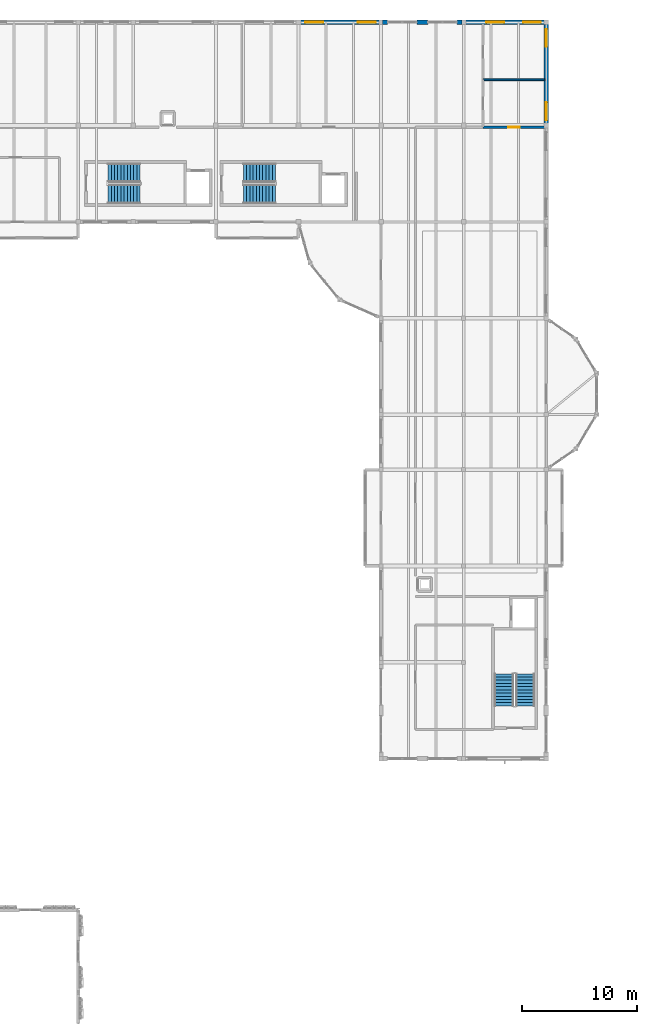
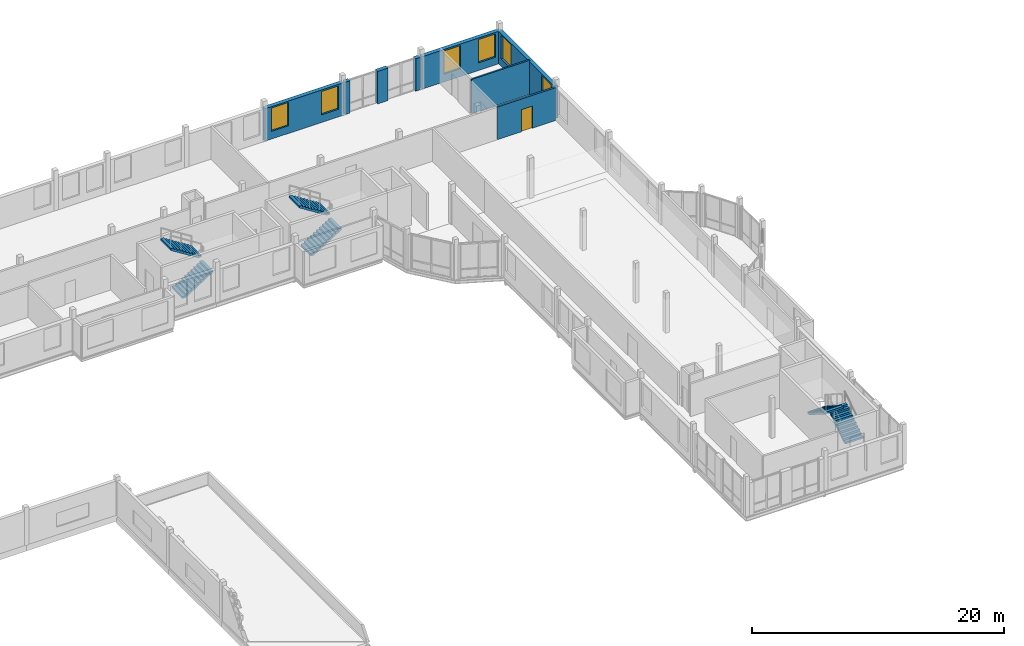
# One storey, part 44 of 57: 8 walls, 6 stair flights, 6 windows, 1 door, 7 openings, 3 elements without a shape of their own.
"""IFC4 building model written with IfcOpenShell, lengths in metres."""

from ifc_helpers import new_model, si_unit, direction, frame, frame_2d, origin, place, context, subcontext, project, spatial, polyline, rectangle, outline, extrude, material, layer, layer_set, type_object, element, fill, aggregate, save


model = new_model("IFC4")

# Units and contexts
model_context = context("Model", 3, precision=1e-05, world=origin(), true_north=direction((0.0, 1.0)))
body_context = subcontext(model_context, "Body", "Model", "MODEL_VIEW")
ifc_project = project(units=[si_unit("LENGTHUNIT", "METRE"), si_unit("AREAUNIT", "SQUARE_METRE"), si_unit("VOLUMEUNIT", "CUBIC_METRE"), si_unit("PLANEANGLEUNIT", "RADIAN"), si_unit("MASSUNIT", "GRAM", prefix="KILO")], contexts=[model_context])

# Site, building, storey
site_placement = place(None, origin())
site = spatial("IfcSite", under=ifc_project, at=site_placement, CompositionType="ELEMENT")
building_placement = place(site_placement, origin())
building = spatial("IfcBuilding", under=site, at=building_placement, Name="Kahlenmark Community Centre", CompositionType="ELEMENT")
storey_placement = place(building_placement, frame((0.0, 0.0, 13.800048828125)))
storey = spatial("IfcBuildingStorey", under=building, at=storey_placement, Name="L03", CompositionType="ELEMENT", Elevation=13.800048828125)

# Wall, openings, windows
ifc_material_1 = material(Name="Danube limestone masonry", Category="masonry")
ifc_layer_1 = layer(ifc_material_1, 0.360107421875)
ifc_layer_set_1 = layer_set([ifc_layer_1], Name="Danube limestone masonry")
wall_type_1 = type_object("IfcWallType", Name="WT-EW-360", PredefinedType="SOLIDWALL", material=ifc_layer_set_1)
wall_1_placement = place(storey_placement, frame((72.39990234375, 115.0, 0.0), z_axis=(0.0, 0.0, 1.0), x_axis=(-1.0, 0.0, 0.0)))
wall_1 = element("IfcWall", 1, at=wall_1_placement, inside=storey, type_object=wall_type_1, Name="Exterior wall WL-EXT-L03-0601", PredefinedType="SOLIDWALL", context=body_context, shape_type="SweptSolid", body=[
    extrude(rectangle(XDim=7.199951171875, YDim=0.360107421875, at=frame_2d((3.60009765625, 0.0))), origin(), (0.0, 0.0, 1.0), 3.14990234375),
])
opening_1_placement = place(wall_1_placement, frame((0.4599609375, 0.0, 0.75)))
opening_1 = element("IfcOpeningElement", 2, at=opening_1_placement, cuts=wall_1, Name="Opening W-155X226", PredefinedType="OPENING", context=body_context, shape_type="SweptSolid", body=[
    extrude(rectangle(XDim=1.550048828125, YDim=2.260009765625, at=frame_2d((0.77490234375, 1.1298828125))), frame((0.0, 0.18994140625, 0.0), z_axis=(0.0, -1.0, 0.0), x_axis=(1.0, 0.0, 0.0)), (0.0, 0.0, 1.0), 0.380126953125),
])
opening_2_placement = place(wall_1_placement, frame((5.06005859375, 0.0, 0.75)))
opening_2 = element("IfcOpeningElement", 3, at=opening_2_placement, cuts=wall_1, Name="Opening W-155X226", PredefinedType="OPENING", context=body_context, shape_type="SweptSolid", body=[
    extrude(rectangle(XDim=1.550048828125, YDim=2.260009765625, at=frame_2d((0.77490234375, 1.1298828125))), frame((0.0, 0.18994140625, 0.0), z_axis=(0.0, -1.0, 0.0), x_axis=(1.0, 0.0, 0.0)), (0.0, 0.0, 1.0), 0.380126953125),
])
ifc_material_2 = material(Name="Deep-reveal limestone punched triple glazing", Category="masonry")
window_type_1 = type_object("IfcWindowType", Name="WNT-155X226", PartitioningType="DOUBLE_PANEL_HORIZONTAL", PredefinedType="WINDOW", material=ifc_material_2)
window_1_placement = place(opening_1_placement, origin())
window_1 = element("IfcWindow", 4, at=window_1_placement, inside=storey, type_object=window_type_1, Name="Window W-155X226 #0373", OverallHeight=2.260009765625, OverallWidth=1.550048828125, PartitioningType="DOUBLE_PANEL_HORIZONTAL", PredefinedType="WINDOW", context=body_context, shape_type="SweptSolid", body=[
    extrude(rectangle(XDim=1.550048828125, YDim=2.260009765625, at=frame_2d((0.77490234375, 1.1298828125))), frame((0.0, 0.030029296875, 0.0), z_axis=(0.0, -1.0, 0.0), x_axis=(1.0, 0.0, 0.0)), (0.0, 0.0, 1.0), 0.06005859375),
])
fill(opening_1, window_1)
window_2_placement = place(opening_2_placement, origin())
window_2 = element("IfcWindow", 5, at=window_2_placement, inside=storey, type_object=window_type_1, Name="Window W-155X226 #0374", OverallHeight=2.260009765625, OverallWidth=1.550048828125, PartitioningType="DOUBLE_PANEL_HORIZONTAL", PredefinedType="WINDOW", context=body_context, shape_type="SweptSolid", body=[
    extrude(rectangle(XDim=1.550048828125, YDim=2.260009765625, at=frame_2d((0.77490234375, 1.1298828125))), frame((0.0, 0.030029296875, 0.0), z_axis=(0.0, -1.0, 0.0), x_axis=(1.0, 0.0, 0.0)), (0.0, 0.0, 1.0), 0.06005859375),
])
fill(opening_2, window_2)

# Walls
wall_2_placement = place(storey_placement, frame((76.47998046875, 115.0, 0.0), z_axis=(0.0, 0.0, 1.0), x_axis=(-1.0, 0.0, 0.0)))
element("IfcWall", 6, at=wall_2_placement, inside=storey, type_object=wall_type_1, Name="Postmodern limestone pier 0602", PredefinedType="SOLIDWALL", context=body_context, shape_type="SweptSolid", body=[
    extrude(rectangle(XDim=0.9599609375, YDim=0.360107421875, at=frame_2d((0.47998046875, 0.0))), origin(), (0.0, 0.0, 1.0), 3.14990234375),
])
for number, where, z_axis, x_axis, name in (
    (7, (79.469970703125, 115.0, 0.0), (0.0, 0.0, 1.0), (-1.0, 0.0, 0.0), "Column closure pier 0603"),
    (8, (72.97998046875, 115.0, 0.0), (0.0, 0.0, 1.0), (-1.0, 0.0, 0.0), "Column closure pier 0604"),
):
    element("IfcWall", number, at=place(storey_placement, frame(where, z_axis=z_axis, x_axis=x_axis)), inside=storey, type_object=wall_type_1, Name=name, PredefinedType="SOLIDWALL", context=body_context, shape_type="SweptSolid", body=[
        extrude(rectangle(XDim=0.449951171875, YDim=0.360107421875, at=frame_2d((0.22509765625, 0.0))), origin(), (0.0, 0.0, 1.0), 3.14990234375),
    ])

# Wall, openings, windows
wall_3_placement = place(storey_placement, frame((86.800048828125, 115.0, 0.0), z_axis=(0.0, 0.0, 1.0), x_axis=(-1.0, 0.0, 0.0)))
wall_3 = element("IfcWall", 9, at=wall_3_placement, inside=storey, type_object=wall_type_1, Name="Exterior wall WL-EXT-L03-0605", PredefinedType="SOLIDWALL", context=body_context, shape_type="SweptSolid", body=[
    extrude(rectangle(XDim=7.199951171875, YDim=0.360107421875, at=frame_2d((3.60009765625, 0.0))), origin(), (0.0, 0.0, 1.0), 3.14990234375),
])
opening_3_placement = place(wall_3_placement, frame((0.4599609375, 0.0, 0.75)))
opening_3 = element("IfcOpeningElement", 10, at=opening_3_placement, cuts=wall_3, Name="Opening W-155X226", PredefinedType="OPENING", context=body_context, shape_type="SweptSolid", body=[
    extrude(rectangle(XDim=1.550048828125, YDim=2.260009765625, at=frame_2d((0.77490234375, 1.1298828125))), frame((0.0, 0.18994140625, 0.0), z_axis=(0.0, -1.0, 0.0), x_axis=(1.0, 0.0, 0.0)), (0.0, 0.0, 1.0), 0.380126953125),
])
opening_4_placement = place(wall_3_placement, frame((3.659912109375, 0.0, 0.75)))
opening_4 = element("IfcOpeningElement", 11, at=opening_4_placement, cuts=wall_3, Name="Opening W-155X226", PredefinedType="OPENING", context=body_context, shape_type="SweptSolid", body=[
    extrude(rectangle(XDim=1.550048828125, YDim=2.260009765625, at=frame_2d((0.77490234375, 1.1298828125))), frame((0.0, 0.18994140625, 0.0), z_axis=(0.0, -1.0, 0.0), x_axis=(1.0, 0.0, 0.0)), (0.0, 0.0, 1.0), 0.380126953125),
])
window_3_placement = place(opening_3_placement, origin())
window_3 = element("IfcWindow", 12, at=window_3_placement, inside=storey, type_object=window_type_1, Name="Window W-155X226 #0375", OverallHeight=2.260009765625, OverallWidth=1.550048828125, PartitioningType="DOUBLE_PANEL_HORIZONTAL", PredefinedType="WINDOW", context=body_context, shape_type="SweptSolid", body=[
    extrude(rectangle(XDim=1.550048828125, YDim=2.260009765625, at=frame_2d((0.77490234375, 1.1298828125))), frame((0.0, 0.030029296875, 0.0), z_axis=(0.0, -1.0, 0.0), x_axis=(1.0, 0.0, 0.0)), (0.0, 0.0, 1.0), 0.06005859375),
])
fill(opening_3, window_3)
window_4_placement = place(opening_4_placement, origin())
window_4 = element("IfcWindow", 13, at=window_4_placement, inside=storey, type_object=window_type_1, Name="Window W-155X226 #0376", OverallHeight=2.260009765625, OverallWidth=1.550048828125, PartitioningType="DOUBLE_PANEL_HORIZONTAL", PredefinedType="WINDOW", context=body_context, shape_type="SweptSolid", body=[
    extrude(rectangle(XDim=1.550048828125, YDim=2.260009765625, at=frame_2d((0.77490234375, 1.1298828125))), frame((0.0, 0.030029296875, 0.0), z_axis=(0.0, -1.0, 0.0), x_axis=(1.0, 0.0, 0.0)), (0.0, 0.0, 1.0), 0.06005859375),
])
fill(opening_4, window_4)

wall_4_placement = place(storey_placement, frame((86.800048828125, 106.0, 0.0), z_axis=(0.0, 0.0, 1.0), x_axis=(0.0, 1.0, 0.0)))
wall_4 = element("IfcWall", 14, at=wall_4_placement, inside=storey, type_object=wall_type_1, Name="Exterior wall WL-EXT-L03-0609", PredefinedType="SOLIDWALL", context=body_context, shape_type="SweptSolid", body=[
    extrude(rectangle(XDim=9.0, YDim=0.360107421875, at=frame_2d((4.5, 0.0))), origin(), (0.0, 0.0, 1.0), 3.179931640625),
])
opening_5_placement = place(wall_4_placement, frame((0.4599609375, 0.0, 0.75)))
opening_5 = element("IfcOpeningElement", 15, at=opening_5_placement, cuts=wall_4, Name="Opening W-155X229", PredefinedType="OPENING", context=body_context, shape_type="SweptSolid", body=[
    extrude(rectangle(XDim=1.550048828125, YDim=2.2900390625, at=frame_2d((0.77490234375, 1.14501953125))), frame((0.0, 0.18994140625, 0.0), z_axis=(0.0, -1.0, 0.0), x_axis=(1.0, 0.0, 0.0)), (0.0, 0.0, 1.0), 0.380126953125),
])
opening_6_placement = place(wall_4_placement, frame((6.860107421875, 0.0, 0.75)))
opening_6 = element("IfcOpeningElement", 16, at=opening_6_placement, cuts=wall_4, Name="Opening W-155X229", PredefinedType="OPENING", context=body_context, shape_type="SweptSolid", body=[
    extrude(rectangle(XDim=1.550048828125, YDim=2.2900390625, at=frame_2d((0.77490234375, 1.14501953125))), frame((0.0, 0.18994140625, 0.0), z_axis=(0.0, -1.0, 0.0), x_axis=(1.0, 0.0, 0.0)), (0.0, 0.0, 1.0), 0.380126953125),
])
window_type_2 = type_object("IfcWindowType", Name="WNT-155X229", PartitioningType="DOUBLE_PANEL_HORIZONTAL", PredefinedType="WINDOW", material=ifc_material_2)
window_5_placement = place(opening_5_placement, origin())
window_5 = element("IfcWindow", 17, at=window_5_placement, inside=storey, type_object=window_type_2, Name="Window W-155X229 #0383", OverallHeight=2.2900390625, OverallWidth=1.550048828125, PartitioningType="DOUBLE_PANEL_HORIZONTAL", PredefinedType="WINDOW", context=body_context, shape_type="SweptSolid", body=[
    extrude(rectangle(XDim=1.550048828125, YDim=2.2900390625, at=frame_2d((0.77490234375, 1.14501953125))), frame((0.0, 0.030029296875, 0.0), z_axis=(0.0, -1.0, 0.0), x_axis=(1.0, 0.0, 0.0)), (0.0, 0.0, 1.0), 0.06005859375),
])
fill(opening_5, window_5)
window_6_placement = place(opening_6_placement, origin())
window_6 = element("IfcWindow", 18, at=window_6_placement, inside=storey, type_object=window_type_2, Name="Window W-155X229 #0384", OverallHeight=2.2900390625, OverallWidth=1.550048828125, PartitioningType="DOUBLE_PANEL_HORIZONTAL", PredefinedType="WINDOW", context=body_context, shape_type="SweptSolid", body=[
    extrude(rectangle(XDim=1.550048828125, YDim=2.2900390625, at=frame_2d((0.77490234375, 1.14501953125))), frame((0.0, 0.030029296875, 0.0), z_axis=(0.0, -1.0, 0.0), x_axis=(1.0, 0.0, 0.0)), (0.0, 0.0, 1.0), 0.06005859375),
])
fill(opening_6, window_6)

# Wall
ifc_material_3 = material(Name="Gypsum plasterboard partition", Category="gypsum")
ifc_layer_2 = layer(ifc_material_3, 0.14990234375)
ifc_layer_set_2 = layer_set([ifc_layer_2], Name="Gypsum plasterboard partition")
wall_type_2 = type_object("IfcWallType", Name="WT-PW-150", PredefinedType="PARTITIONING", material=ifc_layer_set_2)
wall_5_placement = place(storey_placement, frame((81.300048828125, 110.0, 0.0), z_axis=(0.0, 0.0, 1.0), x_axis=(1.0, 0.0, 0.0)))
element("IfcWall", 19, at=wall_5_placement, inside=storey, type_object=wall_type_2, Name="Interior partition WL-INT-L03-0243", PredefinedType="PARTITIONING", context=body_context, shape_type="SweptSolid", body=[
    extrude(rectangle(XDim=5.35986328125, YDim=0.14990234375, at=frame_2d((2.679931640625, 0.0))), origin(), (0.0, 0.0, 1.0), 3.31005859375),
])

# Wall, opening, door
ifc_layer_3 = layer(ifc_material_3, 0.179931640625)
ifc_layer_set_3 = layer_set([ifc_layer_3], Name="Gypsum plasterboard partition")
wall_type_3 = type_object("IfcWallType", Name="WT-PW-180", PredefinedType="PARTITIONING", material=ifc_layer_set_3)
wall_6_placement = place(storey_placement, frame((81.300048828125, 105.85009765625, 0.0), z_axis=(0.0, 0.0, 1.0), x_axis=(1.0, 0.0, 0.0)))
wall_6 = element("IfcWall", 20, at=wall_6_placement, inside=storey, type_object=wall_type_3, Name="Interior partition WL-INT-L03-0239", PredefinedType="PARTITIONING", context=body_context, shape_type="SweptSolid", body=[
    extrude(rectangle(XDim=5.35986328125, YDim=0.179931640625, at=frame_2d((2.679931640625, 0.0))), origin(), (0.0, 0.0, 1.0), 3.179931640625),
])
opening_7_placement = place(wall_6_placement, frame((2.179931640625, 0.0, -0.010009765625)))
opening_7 = element("IfcOpeningElement", 21, at=opening_7_placement, cuts=wall_6, Name="Opening D-L03-137", PredefinedType="OPENING", context=body_context, shape_type="SweptSolid", body=[
    extrude(rectangle(XDim=1.0, YDim=2.159912109375, at=frame_2d((0.5, 1.080078125))), frame((0.0, 0.099853515625, 0.0), z_axis=(0.0, -1.0, 0.0), x_axis=(1.0, 0.0, 0.0)), (0.0, 0.0, 1.0), 0.199951171875),
])
ifc_material_4 = material(Name="Oak timber veneer door leaf", Category="wood")
door_type = type_object("IfcDoorType", Name="DT-INT-100X215", OperationType="NOTDEFINED", PredefinedType="DOOR", material=ifc_material_4)
door_placement = place(opening_7_placement, frame((0.0, 0.0, 0.010009765625)))
door = element("IfcDoor", 22, at=door_placement, inside=storey, type_object=door_type, Name="Interior door D-L03-137", OperationType="SINGLE_SWING_RIGHT", OverallHeight=2.14990234375, OverallWidth=1.0, PredefinedType="DOOR", context=body_context, shape_type="SweptSolid", body=[
    extrude(rectangle(XDim=1.0, YDim=2.14990234375, at=frame_2d((0.5, 1.074951171875))), frame((0.0, 0.02490234375, 0.0), z_axis=(0.0, -1.0, 0.0), x_axis=(1.0, 0.0, 0.0)), (0.0, 0.0, 1.0), 0.050048828125),
])
fill(opening_7, door)

# Stair, stair flights
ifc_material_5 = material(Name="Concrete C35/45", Category="concrete")
stair_type_1 = type_object("IfcStairType", Name="STT-CORE-ST-04-177", PredefinedType="HALF_TURN_STAIR", material=ifc_material_5)
stair_1_placement = place(storey_placement, origin())
stair_1 = element("IfcStair", 23, at=stair_1_placement, inside=storey, type_object=stair_type_1, Name="L03 Core K4 Escape Stair ST-04", PredefinedType="HALF_TURN_STAIR")
stair_flight_type_1 = type_object("IfcStairFlightType", Name="SFT-CORE-ST-04-177", PredefinedType="STRAIGHT", material=ifc_material_5)
stair_flight_1_placement = place(storey_placement, frame((48.60009765625, 100.02490234375, 0.0), z_axis=(0.0, 0.0, 1.0), x_axis=(1.0, 0.0, 0.0)))
stair_flight_1 = element("IfcStairFlight", 24, at=stair_flight_1_placement, type_object=stair_flight_type_1, Name="ST-04 flight 1", NumberOfRisers=11, NumberOfTreads=10, PredefinedType="STRAIGHT", RiserHeight=0.177272727, TreadLength=0.28, context=body_context, shape_type="SweptSolid", body=[
    extrude(outline(polyline([(0.0, 0.0), (0.0, 0.17724609375), (0.280029296875, 0.17724609375), (0.280029296875, 0.3544921875), (0.56005859375, 0.3544921875), (0.56005859375, 0.53173828125), (0.840087890625, 0.53173828125), (0.840087890625, 0.708984375), (1.1201171875, 0.708984375), (1.1201171875, 0.886474609375), (1.39990234375, 0.886474609375), (1.39990234375, 1.063720703125), (1.679931640625, 1.063720703125), (1.679931640625, 1.240966796875), (1.9599609375, 1.240966796875), (1.9599609375, 1.418212890625), (2.239990234375, 1.418212890625), (2.239990234375, 1.595458984375), (2.52001953125, 1.595458984375), (2.52001953125, 1.772705078125), (2.800048828125, 1.772705078125), (2.800048828125, 1.949951171875), (2.800048828125, 1.59521484375), (0.2802734375, 0.0), (0.0, 0.0)])), frame((0.0, 0.824951171875, 0.0), z_axis=(0.0, -1.0, 0.0), x_axis=(1.0, 0.0, 0.0)), (0.0, 0.0, 1.0), 1.64990234375),
])
stair_flight_2_placement = place(storey_placement, frame((51.39990234375, 101.875, 1.949951171875), z_axis=(0.0, 0.0, 1.0), x_axis=(-1.0, 0.0, 0.0)))
stair_flight_2 = element("IfcStairFlight", 25, at=stair_flight_2_placement, type_object=stair_flight_type_1, Name="ST-04 flight 2", NumberOfRisers=11, NumberOfTreads=10, PredefinedType="STRAIGHT", RiserHeight=0.177272727, TreadLength=0.28, context=body_context, shape_type="SweptSolid", body=[
    extrude(outline(polyline([(0.0, 0.0), (0.0, 0.17724609375), (0.280029296875, 0.17724609375), (0.280029296875, 0.3544921875), (0.56005859375, 0.3544921875), (0.56005859375, 0.53173828125), (0.840087890625, 0.53173828125), (0.840087890625, 0.708984375), (1.1201171875, 0.708984375), (1.1201171875, 0.886474609375), (1.39990234375, 0.886474609375), (1.39990234375, 1.063720703125), (1.679931640625, 1.063720703125), (1.679931640625, 1.240966796875), (1.9599609375, 1.240966796875), (1.9599609375, 1.418212890625), (2.239990234375, 1.418212890625), (2.239990234375, 1.595458984375), (2.52001953125, 1.595458984375), (2.52001953125, 1.772705078125), (2.800048828125, 1.772705078125), (2.800048828125, 1.949951171875), (2.800048828125, 1.59521484375), (0.2802734375, 0.0), (0.0, 0.0)])), frame((0.0, 0.824951171875, 0.0), z_axis=(0.0, -1.0, 0.0), x_axis=(1.0, 0.0, 0.0)), (0.0, 0.0, 1.0), 1.64990234375),
])
aggregate(stair_1, [stair_flight_1, stair_flight_2])

stair_type_2 = type_object("IfcStairType", Name="STT-CORE-ST-05-177", PredefinedType="HALF_TURN_STAIR", material=ifc_material_5)
stair_2_placement = place(storey_placement, origin())
stair_2 = element("IfcStair", 26, at=stair_2_placement, inside=storey, type_object=stair_type_2, Name="L03 Core K5 Escape Stair ST-05", PredefinedType="HALF_TURN_STAIR")
stair_flight_type_2 = type_object("IfcStairFlightType", Name="SFT-CORE-ST-05-177", PredefinedType="STRAIGHT", material=ifc_material_5)
stair_flight_3_placement = place(storey_placement, frame((60.39990234375, 100.02490234375, 0.0), z_axis=(0.0, 0.0, 1.0), x_axis=(1.0, 0.0, 0.0)))
stair_flight_3 = element("IfcStairFlight", 27, at=stair_flight_3_placement, type_object=stair_flight_type_2, Name="ST-05 flight 1", NumberOfRisers=11, NumberOfTreads=10, PredefinedType="STRAIGHT", RiserHeight=0.177272727, TreadLength=0.28, context=body_context, shape_type="SweptSolid", body=[
    extrude(outline(polyline([(0.0, 0.0), (0.0, 0.17724609375), (0.280029296875, 0.17724609375), (0.280029296875, 0.3544921875), (0.56005859375, 0.3544921875), (0.56005859375, 0.53173828125), (0.840087890625, 0.53173828125), (0.840087890625, 0.708984375), (1.1201171875, 0.708984375), (1.1201171875, 0.886474609375), (1.39990234375, 0.886474609375), (1.39990234375, 1.063720703125), (1.679931640625, 1.063720703125), (1.679931640625, 1.240966796875), (1.9599609375, 1.240966796875), (1.9599609375, 1.418212890625), (2.239990234375, 1.418212890625), (2.239990234375, 1.595458984375), (2.52001953125, 1.595458984375), (2.52001953125, 1.772705078125), (2.800048828125, 1.772705078125), (2.800048828125, 1.949951171875), (2.800048828125, 1.59521484375), (0.2802734375, 0.0), (0.0, 0.0)])), frame((0.0, 0.824951171875, 0.0), z_axis=(0.0, -1.0, 0.0), x_axis=(1.0, 0.0, 0.0)), (0.0, 0.0, 1.0), 1.64990234375),
])
stair_flight_4_placement = place(storey_placement, frame((63.199951171875, 101.875, 1.949951171875), z_axis=(0.0, 0.0, 1.0), x_axis=(-1.0, 0.0, 0.0)))
stair_flight_4 = element("IfcStairFlight", 28, at=stair_flight_4_placement, type_object=stair_flight_type_2, Name="ST-05 flight 2", NumberOfRisers=11, NumberOfTreads=10, PredefinedType="STRAIGHT", RiserHeight=0.177272727, TreadLength=0.28, context=body_context, shape_type="SweptSolid", body=[
    extrude(outline(polyline([(0.0, 0.0), (0.0, 0.17724609375), (0.280029296875, 0.17724609375), (0.280029296875, 0.3544921875), (0.56005859375, 0.3544921875), (0.56005859375, 0.53173828125), (0.840087890625, 0.53173828125), (0.840087890625, 0.708984375), (1.1201171875, 0.708984375), (1.1201171875, 0.886474609375), (1.39990234375, 0.886474609375), (1.39990234375, 1.063720703125), (1.679931640625, 1.063720703125), (1.679931640625, 1.240966796875), (1.9599609375, 1.240966796875), (1.9599609375, 1.418212890625), (2.239990234375, 1.418212890625), (2.239990234375, 1.595458984375), (2.52001953125, 1.595458984375), (2.52001953125, 1.772705078125), (2.800048828125, 1.772705078125), (2.800048828125, 1.949951171875), (2.800048828125, 1.59521484375), (0.2802734375, 0.0), (0.0, 0.0)])), frame((0.0, 0.824951171875, 0.0), z_axis=(0.0, -1.0, 0.0), x_axis=(1.0, 0.0, 0.0)), (0.0, 0.0, 1.0), 1.64990234375),
])
aggregate(stair_2, [stair_flight_3, stair_flight_4])

stair_type_3 = type_object("IfcStairType", Name="STT-CORE-ST-06-177", PredefinedType="HALF_TURN_STAIR", material=ifc_material_5)
stair_3_placement = place(storey_placement, origin())
stair_3 = element("IfcStair", 29, at=stair_3_placement, inside=storey, type_object=stair_type_3, Name="L03 Core K6 Escape Stair ST-06", PredefinedType="HALF_TURN_STAIR")
stair_flight_type_3 = type_object("IfcStairFlightType", Name="SFT-CORE-ST-06-177", PredefinedType="STRAIGHT", material=ifc_material_5)
stair_flight_5_placement = place(storey_placement, frame((84.97509765625, 55.39990234375, 0.0), z_axis=(0.0, 0.0, 1.0), x_axis=(0.0, 1.0, 0.0)))
stair_flight_5 = element("IfcStairFlight", 30, at=stair_flight_5_placement, type_object=stair_flight_type_3, Name="ST-06 flight 1", NumberOfRisers=11, NumberOfTreads=10, PredefinedType="STRAIGHT", RiserHeight=0.177272727, TreadLength=0.28, context=body_context, shape_type="SweptSolid", body=[
    extrude(outline(polyline([(0.0, 0.0), (0.0, 0.17724609375), (0.280029296875, 0.17724609375), (0.280029296875, 0.3544921875), (0.56005859375, 0.3544921875), (0.56005859375, 0.53173828125), (0.840087890625, 0.53173828125), (0.840087890625, 0.708984375), (1.1201171875, 0.708984375), (1.1201171875, 0.886474609375), (1.39990234375, 0.886474609375), (1.39990234375, 1.063720703125), (1.679931640625, 1.063720703125), (1.679931640625, 1.240966796875), (1.9599609375, 1.240966796875), (1.9599609375, 1.418212890625), (2.239990234375, 1.418212890625), (2.239990234375, 1.595458984375), (2.52001953125, 1.595458984375), (2.52001953125, 1.772705078125), (2.800048828125, 1.772705078125), (2.800048828125, 1.949951171875), (2.800048828125, 1.59521484375), (0.2802734375, 0.0), (0.0, 0.0)])), frame((0.0, 0.824951171875, 0.0), z_axis=(0.0, -1.0, 0.0), x_axis=(1.0, 0.0, 0.0)), (0.0, 0.0, 1.0), 1.64990234375),
])
stair_flight_6_placement = place(storey_placement, frame((83.125, 58.199951171875, 1.949951171875), z_axis=(0.0, 0.0, 1.0), x_axis=(0.0, -1.0, 0.0)))
stair_flight_6 = element("IfcStairFlight", 31, at=stair_flight_6_placement, type_object=stair_flight_type_3, Name="ST-06 flight 2", NumberOfRisers=11, NumberOfTreads=10, PredefinedType="STRAIGHT", RiserHeight=0.177272727, TreadLength=0.28, context=body_context, shape_type="SweptSolid", body=[
    extrude(outline(polyline([(0.0, 0.0), (0.0, 0.17724609375), (0.280029296875, 0.17724609375), (0.280029296875, 0.3544921875), (0.56005859375, 0.3544921875), (0.56005859375, 0.53173828125), (0.840087890625, 0.53173828125), (0.840087890625, 0.708984375), (1.1201171875, 0.708984375), (1.1201171875, 0.886474609375), (1.39990234375, 0.886474609375), (1.39990234375, 1.063720703125), (1.679931640625, 1.063720703125), (1.679931640625, 1.240966796875), (1.9599609375, 1.240966796875), (1.9599609375, 1.418212890625), (2.239990234375, 1.418212890625), (2.239990234375, 1.595458984375), (2.52001953125, 1.595458984375), (2.52001953125, 1.772705078125), (2.800048828125, 1.772705078125), (2.800048828125, 1.949951171875), (2.800048828125, 1.59521484375), (0.2802734375, 0.0), (0.0, 0.0)])), frame((0.0, 0.824951171875, 0.0), z_axis=(0.0, -1.0, 0.0), x_axis=(1.0, 0.0, 0.0)), (0.0, 0.0, 1.0), 1.64990234375),
])
aggregate(stair_3, [stair_flight_5, stair_flight_6])

save(model, "model.ifc")
